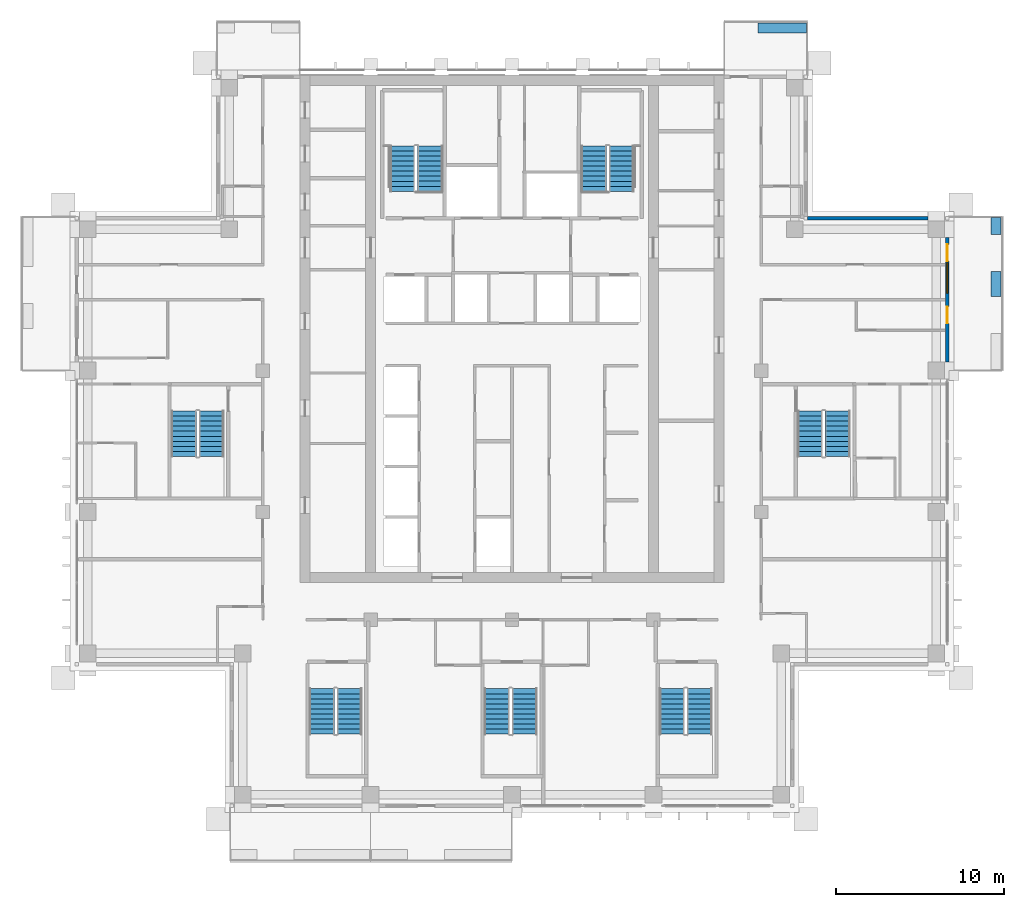
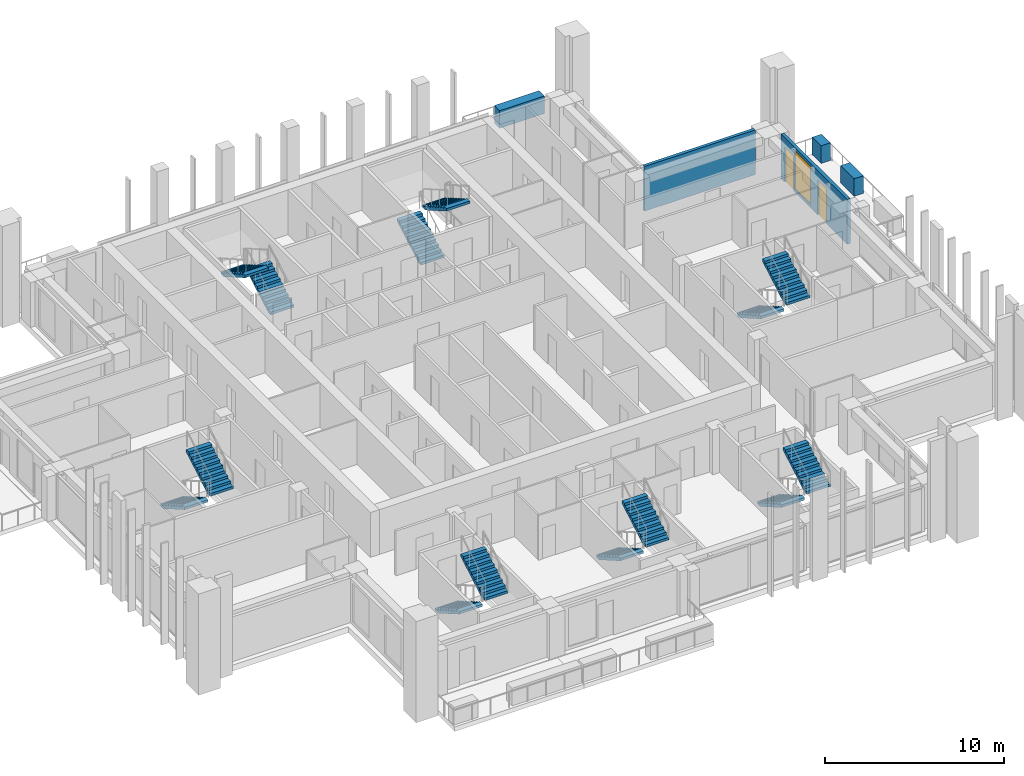
# One storey, part 12 of 16: 14 stair flights, 5 walls, 2 doors, 1 window, 3 openings, 7 elements without a shape of their own.
"""IFC4 building model written with IfcOpenShell, lengths in metres."""

from ifc_helpers import new_model, si_unit, direction, frame, frame_2d, origin, place, context, subcontext, project, spatial, polyline, rectangle, outline, extrude, material, layer, layer_set, type_object, element, fill, aggregate, save


model = new_model("IFC4")

# Units and contexts
model_context = context("Model", 3, precision=1e-05, world=origin(), true_north=direction((0.0, 1.0)))
body_context = subcontext(model_context, "Body", "Model", "MODEL_VIEW")
ifc_project = project(units=[si_unit("LENGTHUNIT", "METRE"), si_unit("AREAUNIT", "SQUARE_METRE"), si_unit("VOLUMEUNIT", "CUBIC_METRE"), si_unit("PLANEANGLEUNIT", "RADIAN"), si_unit("MASSUNIT", "GRAM", prefix="KILO")], contexts=[model_context])

# Site, building, storey
site_placement = place(None, origin())
site = spatial("IfcSite", under=ifc_project, at=site_placement, CompositionType="ELEMENT")
building_placement = place(site_placement, origin())
building = spatial("IfcBuilding", under=site, at=building_placement, Name="Vermilion Ogive Tower", CompositionType="ELEMENT")
storey_placement = place(building_placement, frame((0.0, 0.0, 206.60009765625)))
storey = spatial("IfcBuildingStorey", under=building, at=storey_placement, Name="L54", CompositionType="ELEMENT", Elevation=206.60009765625)

# Walls
ifc_material_1 = material(Name="Concrete B40", Category="concrete")
ifc_layer_1 = layer(ifc_material_1, 0.60009765625)
ifc_layer_set_1 = layer_set([ifc_layer_1], Name="Structural planter")
wall_type_1 = type_object("IfcWallType", Name="Structural planter", PredefinedType="USERDEFINED", material=ifc_layer_set_1)
wall_1_placement = place(storey_placement, frame((28.75, 8.60009765625, -0.0400390625), z_axis=(0.0, 0.0, 1.0), x_axis=(0.0, 1.0, 0.0)))
element("IfcWall", 1, at=wall_1_placement, inside=storey, type_object=wall_type_1, Name="Planter E03A2", ObjectType="PLANTER", PredefinedType="USERDEFINED", context=body_context, shape_type="SweptSolid", body=[
    extrude(rectangle(XDim=1.5, YDim=0.60009765625, at=frame_2d((0.75, 0.0))), origin(), (0.0, 0.0, 1.0), 1.199951171875),
])
wall_2_placement = place(storey_placement, frame((28.75, 12.300048828125, -0.0400390625), z_axis=(0.0, 0.0, 1.0), x_axis=(0.0, 1.0, 0.0)))
element("IfcWall", 2, at=wall_2_placement, inside=storey, type_object=wall_type_1, Name="Planter E03A3", ObjectType="PLANTER", PredefinedType="USERDEFINED", context=body_context, shape_type="SweptSolid", body=[
    extrude(rectangle(XDim=0.989990234375, YDim=0.60009765625, at=frame_2d((0.4951171875, 0.0))), origin(), (0.0, 0.0, 1.0), 1.199951171875),
])
wall_3_placement = place(storey_placement, frame((17.489990234375, 24.550048828125, -0.0400390625), z_axis=(0.0, 0.0, 1.0), x_axis=(-1.0, 0.0, 0.0)))
element("IfcWall", 3, at=wall_3_placement, inside=storey, type_object=wall_type_1, Name="Planter N101A1", ObjectType="PLANTER", PredefinedType="USERDEFINED", context=body_context, shape_type="SweptSolid", body=[
    extrude(rectangle(XDim=2.889892578125, YDim=0.60009765625, at=frame_2d((1.44482421875, 0.0))), origin(), (0.0, 0.0, 1.0), 1.199951171875),
])

# Wall, openings, doors, window
ifc_material_2 = material(Name="Aluminium window wall framing", Category="aluminium")
ifc_layer_2 = layer(ifc_material_2, 0.199951171875)
ifc_layer_set_2 = layer_set([ifc_layer_2], Name="Window wall")
wall_type_2 = type_object("IfcWallType", Name="Window wall", PredefinedType="STANDARD", material=ifc_layer_set_2)
wall_4_placement = place(storey_placement, frame((25.85009765625, 4.699951171875, 0.0), z_axis=(0.0, 0.0, 1.0), x_axis=(0.0, 1.0, 0.0)))
wall_4 = element("IfcWall", 4, at=wall_4_placement, inside=storey, type_object=wall_type_2, Name="Window wall E3", PredefinedType="STANDARD", context=body_context, shape_type="SweptSolid", body=[
    extrude(rectangle(XDim=7.400146484375, YDim=0.199951171875, at=frame_2d((3.7001953125, 0.0))), origin(), (0.0, 0.0, 1.0), 3.0498046875),
])
opening_1_placement = place(wall_4_placement, frame((2.300048828125, 0.0, 0.0)))
opening_1 = element("IfcOpeningElement", 5, at=opening_1_placement, cuts=wall_4, Name="Opening D1-E01", PredefinedType="OPENING", context=body_context, shape_type="SweptSolid", body=[
    extrude(rectangle(XDim=1.0, YDim=2.39990234375, at=frame_2d((0.5, 1.199951171875))), frame((0.0, 0.10986328125, 0.0), z_axis=(0.0, -1.0, 0.0), x_axis=(1.0, 0.0, 0.0)), (0.0, 0.0, 1.0), 0.219970703125),
])
opening_2_placement = place(wall_4_placement, frame((4.10009765625, 0.0, 0.199951171875)))
opening_2 = element("IfcOpeningElement", 6, at=opening_2_placement, cuts=wall_4, Name="Opening W1-E02", PredefinedType="OPENING", context=body_context, shape_type="SweptSolid", body=[
    extrude(rectangle(XDim=1.800048828125, YDim=2.64990234375, at=frame_2d((0.89990234375, 1.324951171875))), frame((0.0, 0.10986328125, 0.0), z_axis=(0.0, -1.0, 0.0), x_axis=(1.0, 0.0, 0.0)), (0.0, 0.0, 1.0), 0.219970703125),
])
opening_3_placement = place(wall_4_placement, frame((6.0, 0.0, 0.0)))
opening_3 = element("IfcOpeningElement", 7, at=opening_3_placement, cuts=wall_4, Name="Opening D1-E02", PredefinedType="OPENING", context=body_context, shape_type="SweptSolid", body=[
    extrude(rectangle(XDim=1.0, YDim=2.39990234375, at=frame_2d((0.5, 1.199951171875))), frame((0.0, 0.10986328125, 0.0), z_axis=(0.0, -1.0, 0.0), x_axis=(1.0, 0.0, 0.0)), (0.0, 0.0, 1.0), 0.219970703125),
])
ifc_material_3 = material(Name="Aluminium framed glazed door", Category="aluminium")
door_type = type_object("IfcDoorType", Name="Balcony door D1", OperationType="SINGLE_SWING_LEFT", PredefinedType="DOOR", material=ifc_material_3)
door_1_placement = place(opening_1_placement, origin())
door_1 = element("IfcDoor", 8, at=door_1_placement, inside=storey, type_object=door_type, Name="Balcony door E01", OperationType="SINGLE_SWING_LEFT", OverallHeight=2.39990234375, OverallWidth=1.0, PredefinedType="DOOR", context=body_context, shape_type="SweptSolid", body=[
    extrude(rectangle(XDim=1.0, YDim=2.39990234375, at=frame_2d((0.5, 1.199951171875))), frame((0.0, 0.02490234375, 0.0), z_axis=(0.0, -1.0, 0.0), x_axis=(1.0, 0.0, 0.0)), (0.0, 0.0, 1.0), 0.050048828125),
])
fill(opening_1, door_1)
door_2_placement = place(opening_3_placement, origin())
door_2 = element("IfcDoor", 9, at=door_2_placement, inside=storey, type_object=door_type, Name="Balcony door E02", OperationType="SINGLE_SWING_LEFT", OverallHeight=2.39990234375, OverallWidth=1.0, PredefinedType="DOOR", context=body_context, shape_type="SweptSolid", body=[
    extrude(rectangle(XDim=1.0, YDim=2.39990234375, at=frame_2d((0.5, 1.199951171875))), frame((0.0, 0.02490234375, 0.0), z_axis=(0.0, -1.0, 0.0), x_axis=(1.0, 0.0, 0.0)), (0.0, 0.0, 1.0), 0.050048828125),
])
fill(opening_3, door_2)
ifc_material_4 = material(Name="Aluminium framed double glazing", Category="aluminium")
window_type = type_object("IfcWindowType", Name="Guest window W1", PartitioningType="SINGLE_PANEL", PredefinedType="WINDOW", material=ifc_material_4)
window_placement = place(opening_2_placement, origin())
window = element("IfcWindow", 10, at=window_placement, inside=storey, type_object=window_type, Name="Window E02", OverallHeight=2.64990234375, OverallWidth=1.800048828125, PartitioningType="SINGLE_PANEL", PredefinedType="WINDOW", context=body_context, shape_type="SweptSolid", body=[
    extrude(rectangle(XDim=1.800048828125, YDim=2.64990234375, at=frame_2d((0.89990234375, 1.324951171875))), frame((0.0, 0.030029296875, 0.0), z_axis=(0.0, -1.0, 0.0), x_axis=(1.0, 0.0, 0.0)), (0.0, 0.0, 1.0), 0.06005859375),
])
fill(opening_2, window)

# Wall
wall_5_placement = place(storey_placement, frame((24.699951171875, 13.25, 0.0), z_axis=(0.0, 0.0, 1.0), x_axis=(-1.0, 0.0, 0.0)))
element("IfcWall", 11, at=wall_5_placement, inside=storey, type_object=wall_type_2, Name="Window wall X31", PredefinedType="STANDARD", context=body_context, shape_type="SweptSolid", body=[
    extrude(rectangle(XDim=7.14990234375, YDim=0.199951171875, at=frame_2d((3.574951171875, 0.0))), origin(), (0.0, 0.0, 1.0), 3.0498046875),
])

# Stair, stair flights
ifc_material_5 = material(Name="Concrete B40", Category="concrete")
stair_type = type_object("IfcStairType", Name="Exit stair 1500", PredefinedType="HALF_TURN_STAIR", material=ifc_material_5)
stair_1_placement = place(storey_placement, origin())
stair_1 = element("IfcStair", 12, at=stair_1_placement, inside=storey, type_object=stair_type, Name="L54 Exit Stair ST1", PredefinedType="HALF_TURN_STAIR")
ifc_material_6 = material(Name="Concrete B40", Category="concrete")
stair_flight_type = type_object("IfcStairFlightType", Name="Stair flight 1500", PredefinedType="STRAIGHT", material=ifc_material_6)
stair_flight_1_placement = place(storey_placement, frame((-4.85009765625, 14.85009765625, 0.0), z_axis=(0.0, 0.0, 1.0), x_axis=(0.0, 1.0, 0.0)))
stair_flight_1 = element("IfcStairFlight", 13, at=stair_flight_1_placement, type_object=stair_flight_type, Name="ST1 flight 1", NumberOfRisers=10, NumberOfTreads=9, PredefinedType="STRAIGHT", RiserHeight=0.1725, TreadLength=0.3, context=body_context, shape_type="SweptSolid", body=[
    extrude(outline(polyline([(0.0, 0.0), (0.0, 0.172607421875), (0.300048828125, 0.172607421875), (0.300048828125, 0.344970703125), (0.60009765625, 0.344970703125), (0.60009765625, 0.517578125), (0.89990234375, 0.517578125), (0.89990234375, 0.68994140625), (1.199951171875, 0.68994140625), (1.199951171875, 0.862548828125), (1.5, 0.862548828125), (1.5, 1.034912109375), (1.800048828125, 1.034912109375), (1.800048828125, 1.20751953125), (2.10009765625, 1.20751953125), (2.10009765625, 1.3798828125), (2.39990234375, 1.3798828125), (2.39990234375, 1.552490234375), (2.699951171875, 1.552490234375), (2.699951171875, 1.72509765625), (2.699951171875, 1.379638671875), (0.30078125, 0.0), (0.0, 0.0)])), frame((0.0, 0.75, 0.0), z_axis=(0.0, -1.0, 0.0), x_axis=(1.0, 0.0, 0.0)), (0.0, 0.0, 1.0), 1.5),
])
stair_flight_2_placement = place(storey_placement, frame((-6.5, 17.550048828125, 1.724853515625), z_axis=(0.0, 0.0, 1.0), x_axis=(0.0, -1.0, 0.0)))
stair_flight_2 = element("IfcStairFlight", 14, at=stair_flight_2_placement, type_object=stair_flight_type, Name="ST1 flight 2", NumberOfRisers=10, NumberOfTreads=9, PredefinedType="STRAIGHT", RiserHeight=0.1725, TreadLength=0.3, context=body_context, shape_type="SweptSolid", body=[
    extrude(outline(polyline([(0.0, 0.0), (0.0, 0.172607421875), (0.300048828125, 0.172607421875), (0.300048828125, 0.344970703125), (0.60009765625, 0.344970703125), (0.60009765625, 0.517578125), (0.89990234375, 0.517578125), (0.89990234375, 0.68994140625), (1.199951171875, 0.68994140625), (1.199951171875, 0.862548828125), (1.5, 0.862548828125), (1.5, 1.034912109375), (1.800048828125, 1.034912109375), (1.800048828125, 1.20751953125), (2.10009765625, 1.20751953125), (2.10009765625, 1.3798828125), (2.39990234375, 1.3798828125), (2.39990234375, 1.552490234375), (2.699951171875, 1.552490234375), (2.699951171875, 1.72509765625), (2.699951171875, 1.379638671875), (0.30078125, 0.0), (0.0, 0.0)])), frame((0.0, 0.75, 0.0), z_axis=(0.0, -1.0, 0.0), x_axis=(1.0, 0.0, 0.0)), (0.0, 0.0, 1.0), 1.5),
])
aggregate(stair_1, [stair_flight_1, stair_flight_2])

stair_2_placement = place(storey_placement, origin())
stair_2 = element("IfcStair", 15, at=stair_2_placement, inside=storey, type_object=stair_type, Name="L54 Exit Stair ST2", PredefinedType="HALF_TURN_STAIR")
stair_flight_3_placement = place(storey_placement, frame((4.85009765625, 14.85009765625, 0.0), z_axis=(0.0, 0.0, 1.0), x_axis=(0.0, 1.0, 0.0)))
stair_flight_3 = element("IfcStairFlight", 16, at=stair_flight_3_placement, type_object=stair_flight_type, Name="ST2 flight 1", NumberOfRisers=10, NumberOfTreads=9, PredefinedType="STRAIGHT", RiserHeight=0.1725, TreadLength=0.3, context=body_context, shape_type="SweptSolid", body=[
    extrude(outline(polyline([(0.0, 0.0), (0.0, 0.172607421875), (0.300048828125, 0.172607421875), (0.300048828125, 0.344970703125), (0.60009765625, 0.344970703125), (0.60009765625, 0.517578125), (0.89990234375, 0.517578125), (0.89990234375, 0.68994140625), (1.199951171875, 0.68994140625), (1.199951171875, 0.862548828125), (1.5, 0.862548828125), (1.5, 1.034912109375), (1.800048828125, 1.034912109375), (1.800048828125, 1.20751953125), (2.10009765625, 1.20751953125), (2.10009765625, 1.3798828125), (2.39990234375, 1.3798828125), (2.39990234375, 1.552490234375), (2.699951171875, 1.552490234375), (2.699951171875, 1.72509765625), (2.699951171875, 1.379638671875), (0.30078125, 0.0), (0.0, 0.0)])), frame((0.0, 0.75, 0.0), z_axis=(0.0, -1.0, 0.0), x_axis=(1.0, 0.0, 0.0)), (0.0, 0.0, 1.0), 1.5),
])
stair_flight_4_placement = place(storey_placement, frame((6.5, 17.550048828125, 1.724853515625), z_axis=(0.0, 0.0, 1.0), x_axis=(0.0, -1.0, 0.0)))
stair_flight_4 = element("IfcStairFlight", 17, at=stair_flight_4_placement, type_object=stair_flight_type, Name="ST2 flight 2", NumberOfRisers=10, NumberOfTreads=9, PredefinedType="STRAIGHT", RiserHeight=0.1725, TreadLength=0.3, context=body_context, shape_type="SweptSolid", body=[
    extrude(outline(polyline([(0.0, 0.0), (0.0, 0.172607421875), (0.300048828125, 0.172607421875), (0.300048828125, 0.344970703125), (0.60009765625, 0.344970703125), (0.60009765625, 0.517578125), (0.89990234375, 0.517578125), (0.89990234375, 0.68994140625), (1.199951171875, 0.68994140625), (1.199951171875, 0.862548828125), (1.5, 0.862548828125), (1.5, 1.034912109375), (1.800048828125, 1.034912109375), (1.800048828125, 1.20751953125), (2.10009765625, 1.20751953125), (2.10009765625, 1.3798828125), (2.39990234375, 1.3798828125), (2.39990234375, 1.552490234375), (2.699951171875, 1.552490234375), (2.699951171875, 1.72509765625), (2.699951171875, 1.379638671875), (0.30078125, 0.0), (0.0, 0.0)])), frame((0.0, 0.75, 0.0), z_axis=(0.0, -1.0, 0.0), x_axis=(1.0, 0.0, 0.0)), (0.0, 0.0, 1.0), 1.5),
])
aggregate(stair_2, [stair_flight_3, stair_flight_4])

stair_3_placement = place(storey_placement, origin())
stair_3 = element("IfcStair", 18, at=stair_3_placement, inside=storey, type_object=stair_type, Name="L54 Exit Stair ST3", PredefinedType="HALF_TURN_STAIR")
stair_flight_5_placement = place(storey_placement, frame((-11.300048828125, -14.699951171875, 0.0), z_axis=(0.0, 0.0, 1.0), x_axis=(0.0, -1.0, 0.0)))
stair_flight_5 = element("IfcStairFlight", 19, at=stair_flight_5_placement, type_object=stair_flight_type, Name="ST3 flight 1", NumberOfRisers=10, NumberOfTreads=9, PredefinedType="STRAIGHT", RiserHeight=0.1725, TreadLength=0.3, context=body_context, shape_type="SweptSolid", body=[
    extrude(outline(polyline([(0.0, 0.0), (0.0, 0.172607421875), (0.300048828125, 0.172607421875), (0.300048828125, 0.344970703125), (0.60009765625, 0.344970703125), (0.60009765625, 0.517578125), (0.89990234375, 0.517578125), (0.89990234375, 0.68994140625), (1.199951171875, 0.68994140625), (1.199951171875, 0.862548828125), (1.5, 0.862548828125), (1.5, 1.034912109375), (1.800048828125, 1.034912109375), (1.800048828125, 1.20751953125), (2.10009765625, 1.20751953125), (2.10009765625, 1.3798828125), (2.39990234375, 1.3798828125), (2.39990234375, 1.552490234375), (2.699951171875, 1.552490234375), (2.699951171875, 1.72509765625), (2.699951171875, 1.379638671875), (0.30078125, 0.0), (0.0, 0.0)])), frame((0.0, 0.75, 0.0), z_axis=(0.0, -1.0, 0.0), x_axis=(1.0, 0.0, 0.0)), (0.0, 0.0, 1.0), 1.5),
])
stair_flight_6_placement = place(storey_placement, frame((-9.64990234375, -17.39990234375, 1.724853515625), z_axis=(0.0, 0.0, 1.0), x_axis=(0.0, 1.0, 0.0)))
stair_flight_6 = element("IfcStairFlight", 20, at=stair_flight_6_placement, type_object=stair_flight_type, Name="ST3 flight 2", NumberOfRisers=10, NumberOfTreads=9, PredefinedType="STRAIGHT", RiserHeight=0.1725, TreadLength=0.3, context=body_context, shape_type="SweptSolid", body=[
    extrude(outline(polyline([(0.0, 0.0), (0.0, 0.172607421875), (0.300048828125, 0.172607421875), (0.300048828125, 0.344970703125), (0.60009765625, 0.344970703125), (0.60009765625, 0.517578125), (0.89990234375, 0.517578125), (0.89990234375, 0.68994140625), (1.199951171875, 0.68994140625), (1.199951171875, 0.862548828125), (1.5, 0.862548828125), (1.5, 1.034912109375), (1.800048828125, 1.034912109375), (1.800048828125, 1.20751953125), (2.10009765625, 1.20751953125), (2.10009765625, 1.3798828125), (2.39990234375, 1.3798828125), (2.39990234375, 1.552490234375), (2.699951171875, 1.552490234375), (2.699951171875, 1.72509765625), (2.699951171875, 1.379638671875), (0.30078125, 0.0), (0.0, 0.0)])), frame((0.0, 0.75, 0.0), z_axis=(0.0, -1.0, 0.0), x_axis=(1.0, 0.0, 0.0)), (0.0, 0.0, 1.0), 1.5),
])
aggregate(stair_3, [stair_flight_5, stair_flight_6])

stair_4_placement = place(storey_placement, origin())
stair_4 = element("IfcStair", 21, at=stair_4_placement, inside=storey, type_object=stair_type, Name="L54 Exit Stair ST4", PredefinedType="HALF_TURN_STAIR")
stair_flight_7_placement = place(storey_placement, frame((-0.89990234375, -14.699951171875, 0.0), z_axis=(0.0, 0.0, 1.0), x_axis=(0.0, -1.0, 0.0)))
stair_flight_7 = element("IfcStairFlight", 22, at=stair_flight_7_placement, type_object=stair_flight_type, Name="ST4 flight 1", NumberOfRisers=10, NumberOfTreads=9, PredefinedType="STRAIGHT", RiserHeight=0.1725, TreadLength=0.3, context=body_context, shape_type="SweptSolid", body=[
    extrude(outline(polyline([(0.0, 0.0), (0.0, 0.172607421875), (0.300048828125, 0.172607421875), (0.300048828125, 0.344970703125), (0.60009765625, 0.344970703125), (0.60009765625, 0.517578125), (0.89990234375, 0.517578125), (0.89990234375, 0.68994140625), (1.199951171875, 0.68994140625), (1.199951171875, 0.862548828125), (1.5, 0.862548828125), (1.5, 1.034912109375), (1.800048828125, 1.034912109375), (1.800048828125, 1.20751953125), (2.10009765625, 1.20751953125), (2.10009765625, 1.3798828125), (2.39990234375, 1.3798828125), (2.39990234375, 1.552490234375), (2.699951171875, 1.552490234375), (2.699951171875, 1.72509765625), (2.699951171875, 1.379638671875), (0.30078125, 0.0), (0.0, 0.0)])), frame((0.0, 0.75, 0.0), z_axis=(0.0, -1.0, 0.0), x_axis=(1.0, 0.0, 0.0)), (0.0, 0.0, 1.0), 1.5),
])
stair_flight_8_placement = place(storey_placement, frame((0.75, -17.39990234375, 1.724853515625), z_axis=(0.0, 0.0, 1.0), x_axis=(0.0, 1.0, 0.0)))
stair_flight_8 = element("IfcStairFlight", 23, at=stair_flight_8_placement, type_object=stair_flight_type, Name="ST4 flight 2", NumberOfRisers=10, NumberOfTreads=9, PredefinedType="STRAIGHT", RiserHeight=0.1725, TreadLength=0.3, context=body_context, shape_type="SweptSolid", body=[
    extrude(outline(polyline([(0.0, 0.0), (0.0, 0.172607421875), (0.300048828125, 0.172607421875), (0.300048828125, 0.344970703125), (0.60009765625, 0.344970703125), (0.60009765625, 0.517578125), (0.89990234375, 0.517578125), (0.89990234375, 0.68994140625), (1.199951171875, 0.68994140625), (1.199951171875, 0.862548828125), (1.5, 0.862548828125), (1.5, 1.034912109375), (1.800048828125, 1.034912109375), (1.800048828125, 1.20751953125), (2.10009765625, 1.20751953125), (2.10009765625, 1.3798828125), (2.39990234375, 1.3798828125), (2.39990234375, 1.552490234375), (2.699951171875, 1.552490234375), (2.699951171875, 1.72509765625), (2.699951171875, 1.379638671875), (0.30078125, 0.0), (0.0, 0.0)])), frame((0.0, 0.75, 0.0), z_axis=(0.0, -1.0, 0.0), x_axis=(1.0, 0.0, 0.0)), (0.0, 0.0, 1.0), 1.5),
])
aggregate(stair_4, [stair_flight_7, stair_flight_8])

stair_5_placement = place(storey_placement, origin())
stair_5 = element("IfcStair", 24, at=stair_5_placement, inside=storey, type_object=stair_type, Name="L54 Exit Stair ST5", PredefinedType="HALF_TURN_STAIR")
stair_flight_9_placement = place(storey_placement, frame((9.5, -14.699951171875, 0.0), z_axis=(0.0, 0.0, 1.0), x_axis=(0.0, -1.0, 0.0)))
stair_flight_9 = element("IfcStairFlight", 25, at=stair_flight_9_placement, type_object=stair_flight_type, Name="ST5 flight 1", NumberOfRisers=10, NumberOfTreads=9, PredefinedType="STRAIGHT", RiserHeight=0.1725, TreadLength=0.3, context=body_context, shape_type="SweptSolid", body=[
    extrude(outline(polyline([(0.0, 0.0), (0.0, 0.172607421875), (0.300048828125, 0.172607421875), (0.300048828125, 0.344970703125), (0.60009765625, 0.344970703125), (0.60009765625, 0.517578125), (0.89990234375, 0.517578125), (0.89990234375, 0.68994140625), (1.199951171875, 0.68994140625), (1.199951171875, 0.862548828125), (1.5, 0.862548828125), (1.5, 1.034912109375), (1.800048828125, 1.034912109375), (1.800048828125, 1.20751953125), (2.10009765625, 1.20751953125), (2.10009765625, 1.3798828125), (2.39990234375, 1.3798828125), (2.39990234375, 1.552490234375), (2.699951171875, 1.552490234375), (2.699951171875, 1.72509765625), (2.699951171875, 1.379638671875), (0.30078125, 0.0), (0.0, 0.0)])), frame((0.0, 0.75, 0.0), z_axis=(0.0, -1.0, 0.0), x_axis=(1.0, 0.0, 0.0)), (0.0, 0.0, 1.0), 1.5),
])
stair_flight_10_placement = place(storey_placement, frame((11.14990234375, -17.39990234375, 1.724853515625), z_axis=(0.0, 0.0, 1.0), x_axis=(0.0, 1.0, 0.0)))
stair_flight_10 = element("IfcStairFlight", 26, at=stair_flight_10_placement, type_object=stair_flight_type, Name="ST5 flight 2", NumberOfRisers=10, NumberOfTreads=9, PredefinedType="STRAIGHT", RiserHeight=0.1725, TreadLength=0.3, context=body_context, shape_type="SweptSolid", body=[
    extrude(outline(polyline([(0.0, 0.0), (0.0, 0.172607421875), (0.300048828125, 0.172607421875), (0.300048828125, 0.344970703125), (0.60009765625, 0.344970703125), (0.60009765625, 0.517578125), (0.89990234375, 0.517578125), (0.89990234375, 0.68994140625), (1.199951171875, 0.68994140625), (1.199951171875, 0.862548828125), (1.5, 0.862548828125), (1.5, 1.034912109375), (1.800048828125, 1.034912109375), (1.800048828125, 1.20751953125), (2.10009765625, 1.20751953125), (2.10009765625, 1.3798828125), (2.39990234375, 1.3798828125), (2.39990234375, 1.552490234375), (2.699951171875, 1.552490234375), (2.699951171875, 1.72509765625), (2.699951171875, 1.379638671875), (0.30078125, 0.0), (0.0, 0.0)])), frame((0.0, 0.75, 0.0), z_axis=(0.0, -1.0, 0.0), x_axis=(1.0, 0.0, 0.0)), (0.0, 0.0, 1.0), 1.5),
])
aggregate(stair_5, [stair_flight_9, stair_flight_10])

stair_6_placement = place(storey_placement, origin())
stair_6 = element("IfcStair", 27, at=stair_6_placement, inside=storey, type_object=stair_type, Name="L54 Exit Stair ST8", PredefinedType="HALF_TURN_STAIR")
stair_flight_11_placement = place(storey_placement, frame((17.699951171875, 1.800048828125, 0.0), z_axis=(0.0, 0.0, 1.0), x_axis=(0.0, -1.0, 0.0)))
stair_flight_11 = element("IfcStairFlight", 28, at=stair_flight_11_placement, type_object=stair_flight_type, Name="ST8 flight 1", NumberOfRisers=10, NumberOfTreads=9, PredefinedType="STRAIGHT", RiserHeight=0.1725, TreadLength=0.3, context=body_context, shape_type="SweptSolid", body=[
    extrude(outline(polyline([(0.0, 0.0), (0.0, 0.172607421875), (0.300048828125, 0.172607421875), (0.300048828125, 0.344970703125), (0.60009765625, 0.344970703125), (0.60009765625, 0.517578125), (0.89990234375, 0.517578125), (0.89990234375, 0.68994140625), (1.199951171875, 0.68994140625), (1.199951171875, 0.862548828125), (1.5, 0.862548828125), (1.5, 1.034912109375), (1.800048828125, 1.034912109375), (1.800048828125, 1.20751953125), (2.10009765625, 1.20751953125), (2.10009765625, 1.3798828125), (2.39990234375, 1.3798828125), (2.39990234375, 1.552490234375), (2.699951171875, 1.552490234375), (2.699951171875, 1.72509765625), (2.699951171875, 1.379638671875), (0.30078125, 0.0), (0.0, 0.0)])), frame((0.0, 0.75, 0.0), z_axis=(0.0, -1.0, 0.0), x_axis=(1.0, 0.0, 0.0)), (0.0, 0.0, 1.0), 1.5),
])
stair_flight_12_placement = place(storey_placement, frame((19.35009765625, -0.89990234375, 1.724853515625), z_axis=(0.0, 0.0, 1.0), x_axis=(0.0, 1.0, 0.0)))
stair_flight_12 = element("IfcStairFlight", 29, at=stair_flight_12_placement, type_object=stair_flight_type, Name="ST8 flight 2", NumberOfRisers=10, NumberOfTreads=9, PredefinedType="STRAIGHT", RiserHeight=0.1725, TreadLength=0.3, context=body_context, shape_type="SweptSolid", body=[
    extrude(outline(polyline([(0.0, 0.0), (0.0, 0.172607421875), (0.300048828125, 0.172607421875), (0.300048828125, 0.344970703125), (0.60009765625, 0.344970703125), (0.60009765625, 0.517578125), (0.89990234375, 0.517578125), (0.89990234375, 0.68994140625), (1.199951171875, 0.68994140625), (1.199951171875, 0.862548828125), (1.5, 0.862548828125), (1.5, 1.034912109375), (1.800048828125, 1.034912109375), (1.800048828125, 1.20751953125), (2.10009765625, 1.20751953125), (2.10009765625, 1.3798828125), (2.39990234375, 1.3798828125), (2.39990234375, 1.552490234375), (2.699951171875, 1.552490234375), (2.699951171875, 1.72509765625), (2.699951171875, 1.379638671875), (0.30078125, 0.0), (0.0, 0.0)])), frame((0.0, 0.75, 0.0), z_axis=(0.0, -1.0, 0.0), x_axis=(1.0, 0.0, 0.0)), (0.0, 0.0, 1.0), 1.5),
])
aggregate(stair_6, [stair_flight_11, stair_flight_12])

stair_7_placement = place(storey_placement, origin())
stair_7 = element("IfcStair", 30, at=stair_7_placement, inside=storey, type_object=stair_type, Name="L54 Exit Stair ST9", PredefinedType="HALF_TURN_STAIR")
stair_flight_13_placement = place(storey_placement, frame((-19.5, 1.800048828125, 0.0), z_axis=(0.0, 0.0, 1.0), x_axis=(0.0, -1.0, 0.0)))
stair_flight_13 = element("IfcStairFlight", 31, at=stair_flight_13_placement, type_object=stair_flight_type, Name="ST9 flight 1", NumberOfRisers=10, NumberOfTreads=9, PredefinedType="STRAIGHT", RiserHeight=0.1725, TreadLength=0.3, context=body_context, shape_type="SweptSolid", body=[
    extrude(outline(polyline([(0.0, 0.0), (0.0, 0.172607421875), (0.300048828125, 0.172607421875), (0.300048828125, 0.344970703125), (0.60009765625, 0.344970703125), (0.60009765625, 0.517578125), (0.89990234375, 0.517578125), (0.89990234375, 0.68994140625), (1.199951171875, 0.68994140625), (1.199951171875, 0.862548828125), (1.5, 0.862548828125), (1.5, 1.034912109375), (1.800048828125, 1.034912109375), (1.800048828125, 1.20751953125), (2.10009765625, 1.20751953125), (2.10009765625, 1.3798828125), (2.39990234375, 1.3798828125), (2.39990234375, 1.552490234375), (2.699951171875, 1.552490234375), (2.699951171875, 1.72509765625), (2.699951171875, 1.379638671875), (0.30078125, 0.0), (0.0, 0.0)])), frame((0.0, 0.75, 0.0), z_axis=(0.0, -1.0, 0.0), x_axis=(1.0, 0.0, 0.0)), (0.0, 0.0, 1.0), 1.5),
])
stair_flight_14_placement = place(storey_placement, frame((-17.85009765625, -0.89990234375, 1.724853515625), z_axis=(0.0, 0.0, 1.0), x_axis=(0.0, 1.0, 0.0)))
stair_flight_14 = element("IfcStairFlight", 32, at=stair_flight_14_placement, type_object=stair_flight_type, Name="ST9 flight 2", NumberOfRisers=10, NumberOfTreads=9, PredefinedType="STRAIGHT", RiserHeight=0.1725, TreadLength=0.3, context=body_context, shape_type="SweptSolid", body=[
    extrude(outline(polyline([(0.0, 0.0), (0.0, 0.172607421875), (0.300048828125, 0.172607421875), (0.300048828125, 0.344970703125), (0.60009765625, 0.344970703125), (0.60009765625, 0.517578125), (0.89990234375, 0.517578125), (0.89990234375, 0.68994140625), (1.199951171875, 0.68994140625), (1.199951171875, 0.862548828125), (1.5, 0.862548828125), (1.5, 1.034912109375), (1.800048828125, 1.034912109375), (1.800048828125, 1.20751953125), (2.10009765625, 1.20751953125), (2.10009765625, 1.3798828125), (2.39990234375, 1.3798828125), (2.39990234375, 1.552490234375), (2.699951171875, 1.552490234375), (2.699951171875, 1.72509765625), (2.699951171875, 1.379638671875), (0.30078125, 0.0), (0.0, 0.0)])), frame((0.0, 0.75, 0.0), z_axis=(0.0, -1.0, 0.0), x_axis=(1.0, 0.0, 0.0)), (0.0, 0.0, 1.0), 1.5),
])
aggregate(stair_7, [stair_flight_13, stair_flight_14])

save(model, "model.ifc")
